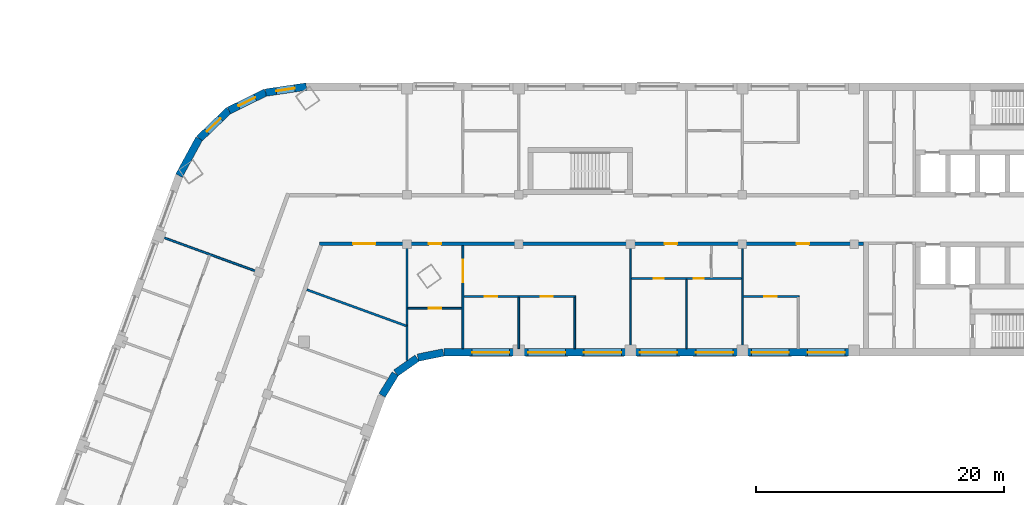
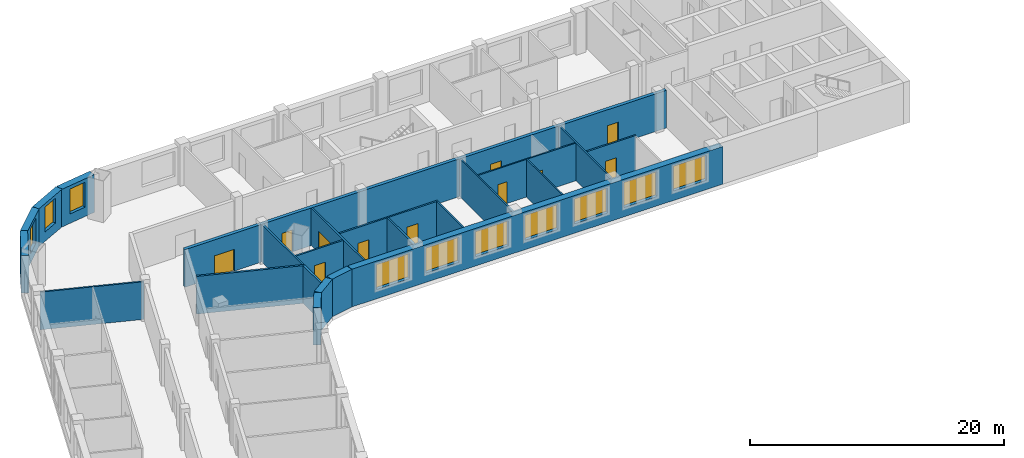
# One storey, part 4 of 12: 23 walls, 11 doors, 10 windows, 21 openings.
"""IFC4 building model written with IfcOpenShell, lengths in metres."""

from ifc_helpers import new_model, si_unit, direction, frame, frame_2d, origin, place, context, subcontext, project, spatial, rectangle, extrude, material, layer, layer_set, type_object, element, fill, save


model = new_model("IFC4")

# Units and contexts
model_context = context("Model", 3, precision=1e-05, world=origin(), true_north=direction((0.0, 1.0)))
body_context = subcontext(model_context, "Body", "Model", "MODEL_VIEW")
ifc_project = project(units=[si_unit("LENGTHUNIT", "METRE"), si_unit("AREAUNIT", "SQUARE_METRE"), si_unit("VOLUMEUNIT", "CUBIC_METRE"), si_unit("PLANEANGLEUNIT", "RADIAN"), si_unit("MASSUNIT", "GRAM", prefix="KILO")], contexts=[model_context])

# Site, building, storey
site_placement = place(None, origin())
site = spatial("IfcSite", under=ifc_project, at=site_placement, CompositionType="ELEMENT")
building_placement = place(site_placement, origin())
building = spatial("IfcBuilding", under=site, at=building_placement, Name="Skarvind Civic Tower", CompositionType="ELEMENT")
storey_placement = place(building_placement, frame((0.0, 0.0, 63.5)))
storey = spatial("IfcBuildingStorey", under=building, at=storey_placement, Name="L14", CompositionType="ELEMENT", Elevation=63.5)

# Walls
ifc_material_1 = material(Name="Acoustic gypsum board on steel studs", Category="steel")
ifc_layer_1 = layer(ifc_material_1, 0.175048828125)
ifc_layer_set_1 = layer_set([ifc_layer_1], Name="ACOUSTIC MEETING-ROOM PARTITION 175")
wall_type_1 = type_object("IfcWallType", Name="ACOUSTIC MEETING-ROOM PARTITION 175", PredefinedType="PARTITIONING", material=ifc_layer_set_1)
wall_1_placement = place(storey_placement, frame((54.25, 116.636962890625, 0.0), z_axis=(0.0, 0.0, 1.0), x_axis=(0.0, 1.0, 0.0)))
element("IfcWall", 1, at=wall_1_placement, inside=storey, type_object=wall_type_1, Name="Partition 14.018", PredefinedType="PARTITIONING", context=body_context, shape_type="SweptSolid", body=[
    extrude(rectangle(XDim=2.776123046875, YDim=0.175048828125, at=frame_2d((1.38818359375, 0.0))), origin(), (0.0, 0.0, 1.0), 3.625),
])
wall_2_placement = place(storey_placement, frame((54.320068359375, 119.384033203125, 0.0), z_axis=(0.0, 0.0, 1.0), x_axis=(-0.939632908118, 0.342184157994, 0.0)))
element("IfcWall", 2, at=wall_2_placement, inside=storey, type_object=wall_type_1, Name="Partition 14.019", PredefinedType="PARTITIONING", context=body_context, shape_type="SweptSolid", body=[
    extrude(rectangle(XDim=8.665283203125, YDim=0.175048828125, at=frame_2d((4.33251953125, 0.0))), origin(), (0.0, 0.0, 1.0), 3.625),
])

# Wall, openings, doors
ifc_material_2 = material(Name="Fire-rated gypsum board on steel studs", Category="steel")
ifc_layer_2 = layer(ifc_material_2, 0.300048828125)
ifc_layer_set_2 = layer_set([ifc_layer_2], Name="CORRIDOR WALL 300")
wall_type_2 = type_object("IfcWallType", Name="CORRIDOR WALL 300", PredefinedType="PARTITIONING", material=ifc_layer_set_2)
wall_3_placement = place(storey_placement, frame((91.0, 126.050048828125, 0.0), z_axis=(0.0, 0.0, 1.0), x_axis=(-1.0, 0.0, 0.0)))
wall_3 = element("IfcWall", 3, at=wall_3_placement, inside=storey, type_object=wall_type_2, Name="Partition 14.043", PredefinedType="PARTITIONING", context=body_context, shape_type="SweptSolid", body=[
    extrude(rectangle(XDim=43.784912109375, YDim=0.300048828125, at=frame_2d((21.892578125, 0.0))), origin(), (0.0, 0.0, 1.0), 3.625),
])
opening_1_placement = place(wall_3_placement, frame((4.375, 0.0, 0.0)))
opening_1 = element("IfcOpeningElement", 4, at=opening_1_placement, cuts=wall_3, Name="Opening L14-D010", PredefinedType="OPENING", context=body_context, shape_type="SweptSolid", body=[
    extrude(rectangle(XDim=1.0, YDim=2.10009765625, at=frame_2d((0.5, 1.050048828125))), frame((0.0, 0.159912109375, 0.0), z_axis=(0.0, -1.0, 0.0), x_axis=(1.0, 0.0, 0.0)), (0.0, 0.0, 1.0), 0.320068359375),
])
opening_2_placement = place(wall_3_placement, frame((15.0, 0.0, 0.0)))
opening_2 = element("IfcOpeningElement", 5, at=opening_2_placement, cuts=wall_3, Name="Opening L14-D011", PredefinedType="OPENING", context=body_context, shape_type="SweptSolid", body=[
    extrude(rectangle(XDim=1.0, YDim=2.10009765625, at=frame_2d((0.5, 1.050048828125))), frame((0.0, 0.159912109375, 0.0), z_axis=(0.0, -1.0, 0.0), x_axis=(1.0, 0.0, 0.0)), (0.0, 0.0, 1.0), 0.320068359375),
])
opening_3_placement = place(wall_3_placement, frame((34.0, 0.0, 0.0)))
opening_3 = element("IfcOpeningElement", 6, at=opening_3_placement, cuts=wall_3, Name="Opening L14-D015", PredefinedType="OPENING", context=body_context, shape_type="SweptSolid", body=[
    extrude(rectangle(XDim=1.0, YDim=2.10009765625, at=frame_2d((0.5, 1.050048828125))), frame((0.0, 0.159912109375, 0.0), z_axis=(0.0, -1.0, 0.0), x_axis=(1.0, 0.0, 0.0)), (0.0, 0.0, 1.0), 0.320068359375),
])
opening_4_placement = place(wall_3_placement, frame((39.2958984375, 0.0, 0.0)))
opening_4 = element("IfcOpeningElement", 7, at=opening_4_placement, cuts=wall_3, Name="Opening L14-D033", PredefinedType="OPENING", context=body_context, shape_type="SweptSolid", body=[
    extrude(rectangle(XDim=1.800048828125, YDim=2.10009765625, at=frame_2d((0.89990234375, 1.050048828125))), frame((0.0, 0.159912109375, 0.0), z_axis=(0.0, -1.0, 0.0), x_axis=(1.0, 0.0, 0.0)), (0.0, 0.0, 1.0), 0.320068359375),
])
ifc_material_3 = material(Name="Fire-rated timber door leaf", Category="wood")
door_type_1 = type_object("IfcDoorType", Name="FD1 1000x2100", OperationType="NOTDEFINED", PredefinedType="DOOR", material=ifc_material_3)
door_1_placement = place(opening_1_placement, origin())
door_1 = element("IfcDoor", 8, at=door_1_placement, inside=storey, type_object=door_type_1, Name="Door L14-D010", OperationType="SINGLE_SWING_LEFT", OverallHeight=2.10009765625, OverallWidth=1.0, PredefinedType="DOOR", context=body_context, shape_type="SweptSolid", body=[
    extrude(rectangle(XDim=1.0, YDim=2.10009765625, at=frame_2d((0.5, 1.050048828125))), frame((0.0, 0.02490234375, 0.0), z_axis=(0.0, -1.0, 0.0), x_axis=(1.0, 0.0, 0.0)), (0.0, 0.0, 1.0), 0.050048828125),
])
fill(opening_1, door_1)
door_2_placement = place(opening_2_placement, origin())
door_2 = element("IfcDoor", 9, at=door_2_placement, inside=storey, type_object=door_type_1, Name="Door L14-D011", OperationType="SINGLE_SWING_LEFT", OverallHeight=2.10009765625, OverallWidth=1.0, PredefinedType="DOOR", context=body_context, shape_type="SweptSolid", body=[
    extrude(rectangle(XDim=1.0, YDim=2.10009765625, at=frame_2d((0.5, 1.050048828125))), frame((0.0, 0.02490234375, 0.0), z_axis=(0.0, -1.0, 0.0), x_axis=(1.0, 0.0, 0.0)), (0.0, 0.0, 1.0), 0.050048828125),
])
fill(opening_2, door_2)
door_3_placement = place(opening_3_placement, origin())
door_3 = element("IfcDoor", 10, at=door_3_placement, inside=storey, type_object=door_type_1, Name="Door L14-D015", OperationType="SINGLE_SWING_LEFT", OverallHeight=2.10009765625, OverallWidth=1.0, PredefinedType="DOOR", context=body_context, shape_type="SweptSolid", body=[
    extrude(rectangle(XDim=1.0, YDim=2.10009765625, at=frame_2d((0.5, 1.050048828125))), frame((0.0, 0.02490234375, 0.0), z_axis=(0.0, -1.0, 0.0), x_axis=(1.0, 0.0, 0.0)), (0.0, 0.0, 1.0), 0.050048828125),
])
fill(opening_3, door_3)
door_type_2 = type_object("IfcDoorType", Name="FD4 1800x2100", OperationType="NOTDEFINED", PredefinedType="DOOR", material=ifc_material_3)
door_4_placement = place(opening_4_placement, origin())
door_4 = element("IfcDoor", 11, at=door_4_placement, inside=storey, type_object=door_type_2, Name="Door L14-D033", OperationType="DOUBLE_DOOR_SINGLE_SWING", OverallHeight=2.10009765625, OverallWidth=1.800048828125, PredefinedType="DOOR", context=body_context, shape_type="SweptSolid", body=[
    extrude(rectangle(XDim=1.800048828125, YDim=2.10009765625, at=frame_2d((0.89990234375, 1.050048828125))), frame((0.0, 0.02490234375, 0.0), z_axis=(0.0, -1.0, 0.0), x_axis=(1.0, 0.0, 0.0)), (0.0, 0.0, 1.0), 0.050048828125),
])
fill(opening_4, door_4)

# Walls
ifc_material_4 = material(Name="Plasterboard partition on steel studs", Category="steel")
ifc_layer_3 = layer(ifc_material_4, 0.14990234375)
ifc_layer_set_3 = layer_set([ifc_layer_3], Name="PARTITION 150")
wall_type_3 = type_object("IfcWallType", Name="PARTITION 150", PredefinedType="PARTITIONING", material=ifc_layer_set_3)
wall_4_placement = place(storey_placement, frame((34.430908203125, 126.6240234375, 0.0), z_axis=(0.0, 0.0, 1.0), x_axis=(0.939687752599, -0.342033518263, 0.0)))
element("IfcWall", 12, at=wall_4_placement, inside=storey, type_object=wall_type_3, Name="Partition 14.007", PredefinedType="PARTITIONING", context=body_context, shape_type="SweptSolid", body=[
    extrude(rectangle(XDim=8.30078125, YDim=0.14990234375, at=frame_2d((4.150390625, 0.0))), origin(), (0.0, 0.0, 1.0), 3.625),
])
wall_5_placement = place(storey_placement, frame((54.25, 119.498046875, 0.0), z_axis=(0.0, 0.0, 1.0), x_axis=(0.0, 1.0, 0.0)))
element("IfcWall", 13, at=wall_5_placement, inside=storey, type_object=wall_type_3, Name="Partition 14.020", PredefinedType="PARTITIONING", context=body_context, shape_type="SweptSolid", body=[
    extrude(rectangle(XDim=6.40185546875, YDim=0.14990234375, at=frame_2d((3.200927734375, 0.0))), origin(), (0.0, 0.0, 1.0), 3.625),
])

# Wall, opening, door
wall_6_placement = place(storey_placement, frame((54.324951171875, 120.85009765625, 0.0), z_axis=(0.0, 0.0, 1.0), x_axis=(1.0, 0.0, 0.0)))
wall_6 = element("IfcWall", 14, at=wall_6_placement, inside=storey, type_object=wall_type_3, Name="Partition 14.021", PredefinedType="PARTITIONING", context=body_context, shape_type="SweptSolid", body=[
    extrude(rectangle(XDim=4.35009765625, YDim=0.14990234375, at=frame_2d((2.175048828125, 0.0))), origin(), (0.0, 0.0, 1.0), 3.625),
])
opening_5_placement = place(wall_6_placement, frame((1.675048828125, 0.0, 0.0)))
opening_5 = element("IfcOpeningElement", 15, at=opening_5_placement, cuts=wall_6, Name="Opening L14-D018", PredefinedType="OPENING", context=body_context, shape_type="SweptSolid", body=[
    extrude(rectangle(XDim=1.0, YDim=2.10009765625, at=frame_2d((0.5, 1.050048828125))), frame((0.0, 0.0849609375, 0.0), z_axis=(0.0, -1.0, 0.0), x_axis=(1.0, 0.0, 0.0)), (0.0, 0.0, 1.0), 0.169921875),
])
ifc_material_5 = material(Name="Timber door leaf", Category="wood")
door_type_3 = type_object("IfcDoorType", Name="D1 1000x2100", OperationType="NOTDEFINED", PredefinedType="DOOR", material=ifc_material_5)
door_5_placement = place(opening_5_placement, origin())
door_5 = element("IfcDoor", 16, at=door_5_placement, inside=storey, type_object=door_type_3, Name="Door L14-D018", OperationType="SINGLE_SWING_LEFT", OverallHeight=2.10009765625, OverallWidth=1.0, PredefinedType="DOOR", context=body_context, shape_type="SweptSolid", body=[
    extrude(rectangle(XDim=1.0, YDim=2.10009765625, at=frame_2d((0.5, 1.050048828125))), frame((0.0, 0.02490234375, 0.0), z_axis=(0.0, -1.0, 0.0), x_axis=(1.0, 0.0, 0.0)), (0.0, 0.0, 1.0), 0.050048828125),
])
fill(opening_5, door_5)

wall_7_placement = place(storey_placement, frame((58.75, 117.60009765625, 0.0), z_axis=(0.0, 0.0, 1.0), x_axis=(0.0, 1.0, 0.0)))
wall_7 = element("IfcWall", 17, at=wall_7_placement, inside=storey, type_object=wall_type_3, Name="Partition 14.023", PredefinedType="PARTITIONING", context=body_context, shape_type="SweptSolid", body=[
    extrude(rectangle(XDim=8.2998046875, YDim=0.14990234375, at=frame_2d((4.14990234375, 0.0))), origin(), (0.0, 0.0, 1.0), 3.625),
])
opening_6_placement = place(wall_7_placement, frame((5.360107421875, 0.0, 0.0)))
opening_6 = element("IfcOpeningElement", 18, at=opening_6_placement, cuts=wall_7, Name="Opening L14-D019", PredefinedType="OPENING", context=body_context, shape_type="SweptSolid", body=[
    extrude(rectangle(XDim=1.800048828125, YDim=2.10009765625, at=frame_2d((0.89990234375, 1.050048828125))), frame((0.0, 0.0849609375, 0.0), z_axis=(0.0, -1.0, 0.0), x_axis=(1.0, 0.0, 0.0)), (0.0, 0.0, 1.0), 0.169921875),
])
door_type_4 = type_object("IfcDoorType", Name="D4 1800x2100", OperationType="NOTDEFINED", PredefinedType="DOOR", material=ifc_material_5)
door_6_placement = place(opening_6_placement, origin())
door_6 = element("IfcDoor", 19, at=door_6_placement, inside=storey, type_object=door_type_4, Name="Door L14-D019", OperationType="DOUBLE_DOOR_SINGLE_SWING", OverallHeight=2.10009765625, OverallWidth=1.800048828125, PredefinedType="DOOR", context=body_context, shape_type="SweptSolid", body=[
    extrude(rectangle(XDim=1.800048828125, YDim=2.10009765625, at=frame_2d((0.89990234375, 1.050048828125))), frame((0.0, 0.02490234375, 0.0), z_axis=(0.0, -1.0, 0.0), x_axis=(1.0, 0.0, 0.0)), (0.0, 0.0, 1.0), 0.050048828125),
])
fill(opening_6, door_6)

# Wall, openings, doors
wall_8_placement = place(storey_placement, frame((58.824951171875, 121.800048828125, 0.0), z_axis=(0.0, 0.0, 1.0), x_axis=(1.0, 0.0, 0.0)))
wall_8 = element("IfcWall", 20, at=wall_8_placement, inside=storey, type_object=wall_type_3, Name="Partition 14.024", PredefinedType="PARTITIONING", context=body_context, shape_type="SweptSolid", body=[
    extrude(rectangle(XDim=9.0, YDim=0.14990234375, at=frame_2d((4.5, 0.0))), origin(), (0.0, 0.0, 1.0), 3.625),
])
opening_7_placement = place(wall_8_placement, frame((1.702392578125, 0.0, 0.0)))
opening_7 = element("IfcOpeningElement", 21, at=opening_7_placement, cuts=wall_8, Name="Opening L14-D016", PredefinedType="OPENING", context=body_context, shape_type="SweptSolid", body=[
    extrude(rectangle(XDim=1.0, YDim=2.10009765625, at=frame_2d((0.5, 1.050048828125))), frame((0.0, 0.0849609375, 0.0), z_axis=(0.0, -1.0, 0.0), x_axis=(1.0, 0.0, 0.0)), (0.0, 0.0, 1.0), 0.169921875),
])
opening_8_placement = place(wall_8_placement, frame((6.175048828125, 0.0, 0.0)))
opening_8 = element("IfcOpeningElement", 22, at=opening_8_placement, cuts=wall_8, Name="Opening L14-D017", PredefinedType="OPENING", context=body_context, shape_type="SweptSolid", body=[
    extrude(rectangle(XDim=1.0, YDim=2.10009765625, at=frame_2d((0.5, 1.050048828125))), frame((0.0, 0.0849609375, 0.0), z_axis=(0.0, -1.0, 0.0), x_axis=(1.0, 0.0, 0.0)), (0.0, 0.0, 1.0), 0.169921875),
])
door_7_placement = place(opening_7_placement, origin())
door_7 = element("IfcDoor", 23, at=door_7_placement, inside=storey, type_object=door_type_3, Name="Door L14-D016", OperationType="SINGLE_SWING_LEFT", OverallHeight=2.10009765625, OverallWidth=1.0, PredefinedType="DOOR", context=body_context, shape_type="SweptSolid", body=[
    extrude(rectangle(XDim=1.0, YDim=2.10009765625, at=frame_2d((0.5, 1.050048828125))), frame((0.0, 0.02490234375, 0.0), z_axis=(0.0, -1.0, 0.0), x_axis=(1.0, 0.0, 0.0)), (0.0, 0.0, 1.0), 0.050048828125),
])
fill(opening_7, door_7)
door_8_placement = place(opening_8_placement, origin())
door_8 = element("IfcDoor", 24, at=door_8_placement, inside=storey, type_object=door_type_3, Name="Door L14-D017", OperationType="SINGLE_SWING_RIGHT", OverallHeight=2.10009765625, OverallWidth=1.0, PredefinedType="DOOR", context=body_context, shape_type="SweptSolid", body=[
    extrude(rectangle(XDim=1.0, YDim=2.10009765625, at=frame_2d((0.5, 1.050048828125))), frame((0.0, 0.02490234375, 0.0), z_axis=(0.0, -1.0, 0.0), x_axis=(1.0, 0.0, 0.0)), (0.0, 0.0, 1.0), 0.050048828125),
])
fill(opening_8, door_8)

# Walls
for number, where, z_axis, x_axis, name in (
    (25, (63.25, 121.72509765625, 0.0), (0.0, 0.0, 1.0), (0.0, -1.0, 0.0), "Partition 14.026"),
    (26, (67.75, 117.60009765625, 0.0), (0.0, 0.0, 1.0), (0.0, 1.0, 0.0), "Partition 14.029"),
):
    element("IfcWall", number, at=place(storey_placement, frame(where, z_axis=z_axis, x_axis=x_axis)), inside=storey, type_object=wall_type_3, Name=name, PredefinedType="PARTITIONING", context=body_context, shape_type="SweptSolid", body=[
        extrude(rectangle(XDim=4.125, YDim=0.14990234375, at=frame_2d((2.0625, 0.0))), origin(), (0.0, 0.0, 1.0), 3.625),
    ])

# Wall, opening, door
wall_9_placement = place(storey_placement, frame((81.31201171875, 121.800048828125, 0.0), z_axis=(0.0, 0.0, 1.0), x_axis=(1.0, 0.0, 0.0)))
wall_9 = element("IfcWall", 27, at=wall_9_placement, inside=storey, type_object=wall_type_3, Name="Partition 14.041", PredefinedType="PARTITIONING", context=body_context, shape_type="SweptSolid", body=[
    extrude(rectangle(XDim=4.512939453125, YDim=0.14990234375, at=frame_2d((2.25634765625, 0.0))), origin(), (0.0, 0.0, 1.0), 3.625),
])
opening_9_placement = place(wall_9_placement, frame((1.708984375, 0.0, 0.0)))
opening_9 = element("IfcOpeningElement", 28, at=opening_9_placement, cuts=wall_9, Name="Opening L14-D009", PredefinedType="OPENING", context=body_context, shape_type="SweptSolid", body=[
    extrude(rectangle(XDim=1.0, YDim=2.10009765625, at=frame_2d((0.5, 1.050048828125))), frame((0.0, 0.0849609375, 0.0), z_axis=(0.0, -1.0, 0.0), x_axis=(1.0, 0.0, 0.0)), (0.0, 0.0, 1.0), 0.169921875),
])
door_9_placement = place(opening_9_placement, origin())
door_9 = element("IfcDoor", 29, at=door_9_placement, inside=storey, type_object=door_type_3, Name="Door L14-D009", OperationType="SINGLE_SWING_LEFT", OverallHeight=2.10009765625, OverallWidth=1.0, PredefinedType="DOOR", context=body_context, shape_type="SweptSolid", body=[
    extrude(rectangle(XDim=1.0, YDim=2.10009765625, at=frame_2d((0.5, 1.050048828125))), frame((0.0, 0.02490234375, 0.0), z_axis=(0.0, -1.0, 0.0), x_axis=(1.0, 0.0, 0.0)), (0.0, 0.0, 1.0), 0.050048828125),
])
fill(opening_9, door_9)

# Wall
ifc_material_6 = material(Name="Moisture-resistant gypsum board on steel studs", Category="steel")
ifc_layer_4 = layer(ifc_material_6, 0.125)
ifc_layer_set_4 = layer_set([ifc_layer_4], Name="WC PARTITION 125")
wall_type_4 = type_object("IfcWallType", Name="WC PARTITION 125", PredefinedType="PARTITIONING", material=ifc_layer_set_4)
wall_10_placement = place(storey_placement, frame((72.25, 117.60009765625, 0.0), z_axis=(0.0, 0.0, 1.0), x_axis=(0.0, 1.0, 0.0)))
element("IfcWall", 30, at=wall_10_placement, inside=storey, type_object=wall_type_4, Name="Partition 14.030", PredefinedType="PARTITIONING", context=body_context, shape_type="SweptSolid", body=[
    extrude(rectangle(XDim=8.2998046875, YDim=0.125, at=frame_2d((4.14990234375, 0.0))), origin(), (0.0, 0.0, 1.0), 3.625),
])

# Wall, openings, doors
wall_11_placement = place(storey_placement, frame((81.18798828125, 123.25, 0.0), z_axis=(0.0, 0.0, 1.0), x_axis=(-1.0, 0.0, 0.0)))
wall_11 = element("IfcWall", 31, at=wall_11_placement, inside=storey, type_object=wall_type_4, Name="Partition 14.031", PredefinedType="PARTITIONING", context=body_context, shape_type="SweptSolid", body=[
    extrude(rectangle(XDim=8.8759765625, YDim=0.125, at=frame_2d((4.43798828125, 0.0))), origin(), (0.0, 0.0, 1.0), 3.625),
])
opening_10_placement = place(wall_11_placement, frame((6.26708984375, 0.0, 0.0)))
opening_10 = element("IfcOpeningElement", 32, at=opening_10_placement, cuts=wall_11, Name="Opening L14-D013", PredefinedType="OPENING", context=body_context, shape_type="SweptSolid", body=[
    extrude(rectangle(XDim=0.800048828125, YDim=2.10009765625, at=frame_2d((0.39990234375, 1.050048828125))), frame((0.0, 0.072509765625, 0.0), z_axis=(0.0, -1.0, 0.0), x_axis=(1.0, 0.0, 0.0)), (0.0, 0.0, 1.0), 0.14501953125),
])
opening_11_placement = place(wall_11_placement, frame((3.03662109375, 0.0, 0.0)))
opening_11 = element("IfcOpeningElement", 33, at=opening_11_placement, cuts=wall_11, Name="Opening L14-D014", PredefinedType="OPENING", context=body_context, shape_type="SweptSolid", body=[
    extrude(rectangle(XDim=0.800048828125, YDim=2.10009765625, at=frame_2d((0.39990234375, 1.050048828125))), frame((0.0, 0.072509765625, 0.0), z_axis=(0.0, -1.0, 0.0), x_axis=(1.0, 0.0, 0.0)), (0.0, 0.0, 1.0), 0.14501953125),
])
door_type_5 = type_object("IfcDoorType", Name="DOOR 800X2100 TIMBER", OperationType="NOTDEFINED", PredefinedType="DOOR", material=ifc_material_5)
door_10_placement = place(opening_10_placement, origin())
door_10 = element("IfcDoor", 34, at=door_10_placement, inside=storey, type_object=door_type_5, Name="Door L14-D013", OperationType="SINGLE_SWING_RIGHT", OverallHeight=2.10009765625, OverallWidth=0.800048828125, PredefinedType="DOOR", context=body_context, shape_type="SweptSolid", body=[
    extrude(rectangle(XDim=0.800048828125, YDim=2.10009765625, at=frame_2d((0.39990234375, 1.050048828125))), frame((0.0, 0.02490234375, 0.0), z_axis=(0.0, -1.0, 0.0), x_axis=(1.0, 0.0, 0.0)), (0.0, 0.0, 1.0), 0.050048828125),
])
fill(opening_10, door_10)
door_11_placement = place(opening_11_placement, origin())
door_11 = element("IfcDoor", 35, at=door_11_placement, inside=storey, type_object=door_type_5, Name="Door L14-D014", OperationType="SINGLE_SWING_LEFT", OverallHeight=2.10009765625, OverallWidth=0.800048828125, PredefinedType="DOOR", context=body_context, shape_type="SweptSolid", body=[
    extrude(rectangle(XDim=0.800048828125, YDim=2.10009765625, at=frame_2d((0.39990234375, 1.050048828125))), frame((0.0, 0.02490234375, 0.0), z_axis=(0.0, -1.0, 0.0), x_axis=(1.0, 0.0, 0.0)), (0.0, 0.0, 1.0), 0.050048828125),
])
fill(opening_11, door_11)

# Walls
wall_12_placement = place(storey_placement, frame((76.75, 117.60009765625, 0.0), z_axis=(0.0, 0.0, 1.0), x_axis=(0.0, 1.0, 0.0)))
element("IfcWall", 36, at=wall_12_placement, inside=storey, type_object=wall_type_4, Name="Partition 14.033", PredefinedType="PARTITIONING", context=body_context, shape_type="SweptSolid", body=[
    extrude(rectangle(XDim=5.587890625, YDim=0.125, at=frame_2d((2.7939453125, 0.0))), origin(), (0.0, 0.0, 1.0), 3.625),
])
wall_13_placement = place(storey_placement, frame((81.25, 117.60009765625, 0.0), z_axis=(0.0, 0.0, 1.0), x_axis=(0.0, 1.0, 0.0)))
element("IfcWall", 37, at=wall_13_placement, inside=storey, type_object=wall_type_4, Name="Partition 14.036", PredefinedType="PARTITIONING", context=body_context, shape_type="SweptSolid", body=[
    extrude(rectangle(XDim=8.2998046875, YDim=0.125, at=frame_2d((4.14990234375, 0.0))), origin(), (0.0, 0.0, 1.0), 3.625),
])
ifc_material_7 = material(Name="Limestone masonry cladding on insulated backing", Category="masonry")
ifc_layer_5 = layer(ifc_material_7, 0.60009765625)
ifc_layer_set_5 = layer_set([ifc_layer_5], Name="WX1 STONE FACADE WALL 600")
wall_type_5 = type_object("IfcWallType", Name="WX1 STONE FACADE WALL 600", PredefinedType="SOLIDWALL", material=ifc_layer_set_5)
wall_14_placement = place(storey_placement, frame((53.30517578125, 115.578369140625, 0.0), z_axis=(0.0, 0.0, 1.0), x_axis=(-0.522402266438, -0.852699168535, 0.0)))
element("IfcWall", 38, at=wall_14_placement, inside=storey, type_object=wall_type_5, Name="STONE FACADE WALL", PredefinedType="SOLIDWALL", context=body_context, shape_type="SweptSolid", body=[
    extrude(rectangle(XDim=2.042236328125, YDim=0.60009765625, at=frame_2d((1.02099609375, 0.0))), origin(), (0.0, 0.0, 1.0), 3.625),
])
for number, where, z_axis, x_axis, name in (
    (39, (55.061767578125, 116.8388671875, 0.0), (0.0, 0.0, 1.0), (-0.819122269495, -0.573618956815, 0.0), "STONE FACADE WALL"),
    (40, (57.17529296875, 117.2939453125, 0.0), (0.0, 0.0, 1.0), (-0.97996099083, -0.19918949885, 0.0), "STONE FACADE WALL"),
):
    element("IfcWall", number, at=place(storey_placement, frame(where, z_axis=z_axis, x_axis=x_axis)), inside=storey, type_object=wall_type_5, Name=name, PredefinedType="SOLIDWALL", context=body_context, shape_type="SweptSolid", body=[
        extrude(rectangle(XDim=2.09228515625, YDim=0.60009765625, at=frame_2d((1.046142578125, 0.0))), origin(), (0.0, 0.0, 1.0), 3.625),
    ])

# Wall, openings, windows
wall_15_placement = place(storey_placement, frame((90.97998046875, 117.300048828125, 0.0), z_axis=(0.0, 0.0, 1.0), x_axis=(-1.0, 0.0, 0.0)))
wall_15 = element("IfcWall", 41, at=wall_15_placement, inside=storey, type_object=wall_type_5, Name="STONE FACADE WALL", PredefinedType="SOLIDWALL", context=body_context, shape_type="SweptSolid", body=[
    extrude(rectangle(XDim=33.744873046875, YDim=0.60009765625, at=frame_2d((16.87255859375, 0.0))), origin(), (0.0, 0.0, 1.0), 3.625),
])
opening_12_placement = place(wall_15_placement, frame((1.47998046875, 0.0, 0.89990234375)))
opening_12 = element("IfcOpeningElement", 42, at=opening_12_placement, cuts=wall_15, Name="Opening WN1", PredefinedType="OPENING", context=body_context, shape_type="SweptSolid", body=[
    extrude(rectangle(XDim=3.0, YDim=2.39990234375, at=frame_2d((1.5, 1.199951171875))), frame((0.0, 0.31005859375, 0.0), z_axis=(0.0, -1.0, 0.0), x_axis=(1.0, 0.0, 0.0)), (0.0, 0.0, 1.0), 0.6201171875),
])
opening_13_placement = place(wall_15_placement, frame((5.97998046875, 0.0, 0.89990234375)))
opening_13 = element("IfcOpeningElement", 43, at=opening_13_placement, cuts=wall_15, Name="Opening WN1", PredefinedType="OPENING", context=body_context, shape_type="SweptSolid", body=[
    extrude(rectangle(XDim=3.0, YDim=2.39990234375, at=frame_2d((1.5, 1.199951171875))), frame((0.0, 0.31005859375, 0.0), z_axis=(0.0, -1.0, 0.0), x_axis=(1.0, 0.0, 0.0)), (0.0, 0.0, 1.0), 0.6201171875),
])
opening_14_placement = place(wall_15_placement, frame((10.47998046875, 0.0, 0.89990234375)))
opening_14 = element("IfcOpeningElement", 44, at=opening_14_placement, cuts=wall_15, Name="Opening WN1", PredefinedType="OPENING", context=body_context, shape_type="SweptSolid", body=[
    extrude(rectangle(XDim=3.0, YDim=2.39990234375, at=frame_2d((1.5, 1.199951171875))), frame((0.0, 0.31005859375, 0.0), z_axis=(0.0, -1.0, 0.0), x_axis=(1.0, 0.0, 0.0)), (0.0, 0.0, 1.0), 0.6201171875),
])
opening_15_placement = place(wall_15_placement, frame((14.97998046875, 0.0, 0.89990234375)))
opening_15 = element("IfcOpeningElement", 45, at=opening_15_placement, cuts=wall_15, Name="Opening WN1", PredefinedType="OPENING", context=body_context, shape_type="SweptSolid", body=[
    extrude(rectangle(XDim=3.0, YDim=2.39990234375, at=frame_2d((1.5, 1.199951171875))), frame((0.0, 0.31005859375, 0.0), z_axis=(0.0, -1.0, 0.0), x_axis=(1.0, 0.0, 0.0)), (0.0, 0.0, 1.0), 0.6201171875),
])
opening_16_placement = place(wall_15_placement, frame((19.47998046875, 0.0, 0.89990234375)))
opening_16 = element("IfcOpeningElement", 46, at=opening_16_placement, cuts=wall_15, Name="Opening WN1", PredefinedType="OPENING", context=body_context, shape_type="SweptSolid", body=[
    extrude(rectangle(XDim=3.0, YDim=2.39990234375, at=frame_2d((1.5, 1.199951171875))), frame((0.0, 0.31005859375, 0.0), z_axis=(0.0, -1.0, 0.0), x_axis=(1.0, 0.0, 0.0)), (0.0, 0.0, 1.0), 0.6201171875),
])
opening_17_placement = place(wall_15_placement, frame((23.97998046875, 0.0, 0.89990234375)))
opening_17 = element("IfcOpeningElement", 47, at=opening_17_placement, cuts=wall_15, Name="Opening WN1", PredefinedType="OPENING", context=body_context, shape_type="SweptSolid", body=[
    extrude(rectangle(XDim=3.0, YDim=2.39990234375, at=frame_2d((1.5, 1.199951171875))), frame((0.0, 0.31005859375, 0.0), z_axis=(0.0, -1.0, 0.0), x_axis=(1.0, 0.0, 0.0)), (0.0, 0.0, 1.0), 0.6201171875),
])
opening_18_placement = place(wall_15_placement, frame((28.47998046875, 0.0, 0.89990234375)))
opening_18 = element("IfcOpeningElement", 48, at=opening_18_placement, cuts=wall_15, Name="Opening WN1", PredefinedType="OPENING", context=body_context, shape_type="SweptSolid", body=[
    extrude(rectangle(XDim=3.0, YDim=2.39990234375, at=frame_2d((1.5, 1.199951171875))), frame((0.0, 0.31005859375, 0.0), z_axis=(0.0, -1.0, 0.0), x_axis=(1.0, 0.0, 0.0)), (0.0, 0.0, 1.0), 0.6201171875),
])
ifc_material_8 = material(Name="Timber frame, double glazing, timber-lined reveal", Category="wood")
window_type_1 = type_object("IfcWindowType", Name="WN1 PUNCHED STONE WINDOW 3000 x 2400", PartitioningType="SINGLE_PANEL", PredefinedType="WINDOW", material=ifc_material_8)
window_1_placement = place(opening_12_placement, origin())
window_1 = element("IfcWindow", 49, at=window_1_placement, inside=storey, type_object=window_type_1, Name="WN1 WINDOW", OverallHeight=2.39990234375, OverallWidth=3.0, PartitioningType="SINGLE_PANEL", PredefinedType="WINDOW", context=body_context, shape_type="SweptSolid", body=[
    extrude(rectangle(XDim=3.0, YDim=2.39990234375, at=frame_2d((1.5, 1.199951171875))), frame((0.0, 0.030029296875, 0.0), z_axis=(0.0, -1.0, 0.0), x_axis=(1.0, 0.0, 0.0)), (0.0, 0.0, 1.0), 0.06005859375),
])
fill(opening_12, window_1)
window_2_placement = place(opening_13_placement, origin())
window_2 = element("IfcWindow", 50, at=window_2_placement, inside=storey, type_object=window_type_1, Name="WN1 WINDOW", OverallHeight=2.39990234375, OverallWidth=3.0, PartitioningType="SINGLE_PANEL", PredefinedType="WINDOW", context=body_context, shape_type="SweptSolid", body=[
    extrude(rectangle(XDim=3.0, YDim=2.39990234375, at=frame_2d((1.5, 1.199951171875))), frame((0.0, 0.030029296875, 0.0), z_axis=(0.0, -1.0, 0.0), x_axis=(1.0, 0.0, 0.0)), (0.0, 0.0, 1.0), 0.06005859375),
])
fill(opening_13, window_2)
window_3_placement = place(opening_14_placement, origin())
window_3 = element("IfcWindow", 51, at=window_3_placement, inside=storey, type_object=window_type_1, Name="WN1 WINDOW", OverallHeight=2.39990234375, OverallWidth=3.0, PartitioningType="SINGLE_PANEL", PredefinedType="WINDOW", context=body_context, shape_type="SweptSolid", body=[
    extrude(rectangle(XDim=3.0, YDim=2.39990234375, at=frame_2d((1.5, 1.199951171875))), frame((0.0, 0.030029296875, 0.0), z_axis=(0.0, -1.0, 0.0), x_axis=(1.0, 0.0, 0.0)), (0.0, 0.0, 1.0), 0.06005859375),
])
fill(opening_14, window_3)
window_4_placement = place(opening_15_placement, origin())
window_4 = element("IfcWindow", 52, at=window_4_placement, inside=storey, type_object=window_type_1, Name="WN1 WINDOW", OverallHeight=2.39990234375, OverallWidth=3.0, PartitioningType="SINGLE_PANEL", PredefinedType="WINDOW", context=body_context, shape_type="SweptSolid", body=[
    extrude(rectangle(XDim=3.0, YDim=2.39990234375, at=frame_2d((1.5, 1.199951171875))), frame((0.0, 0.030029296875, 0.0), z_axis=(0.0, -1.0, 0.0), x_axis=(1.0, 0.0, 0.0)), (0.0, 0.0, 1.0), 0.06005859375),
])
fill(opening_15, window_4)
window_5_placement = place(opening_16_placement, origin())
window_5 = element("IfcWindow", 53, at=window_5_placement, inside=storey, type_object=window_type_1, Name="WN1 WINDOW", OverallHeight=2.39990234375, OverallWidth=3.0, PartitioningType="SINGLE_PANEL", PredefinedType="WINDOW", context=body_context, shape_type="SweptSolid", body=[
    extrude(rectangle(XDim=3.0, YDim=2.39990234375, at=frame_2d((1.5, 1.199951171875))), frame((0.0, 0.030029296875, 0.0), z_axis=(0.0, -1.0, 0.0), x_axis=(1.0, 0.0, 0.0)), (0.0, 0.0, 1.0), 0.06005859375),
])
fill(opening_16, window_5)
window_6_placement = place(opening_17_placement, origin())
window_6 = element("IfcWindow", 54, at=window_6_placement, inside=storey, type_object=window_type_1, Name="WN1 WINDOW", OverallHeight=2.39990234375, OverallWidth=3.0, PartitioningType="SINGLE_PANEL", PredefinedType="WINDOW", context=body_context, shape_type="SweptSolid", body=[
    extrude(rectangle(XDim=3.0, YDim=2.39990234375, at=frame_2d((1.5, 1.199951171875))), frame((0.0, 0.030029296875, 0.0), z_axis=(0.0, -1.0, 0.0), x_axis=(1.0, 0.0, 0.0)), (0.0, 0.0, 1.0), 0.06005859375),
])
fill(opening_17, window_6)
window_7_placement = place(opening_18_placement, origin())
window_7 = element("IfcWindow", 55, at=window_7_placement, inside=storey, type_object=window_type_1, Name="WN1 WINDOW", OverallHeight=2.39990234375, OverallWidth=3.0, PartitioningType="SINGLE_PANEL", PredefinedType="WINDOW", context=body_context, shape_type="SweptSolid", body=[
    extrude(rectangle(XDim=3.0, YDim=2.39990234375, at=frame_2d((1.5, 1.199951171875))), frame((0.0, 0.030029296875, 0.0), z_axis=(0.0, -1.0, 0.0), x_axis=(1.0, 0.0, 0.0)), (0.0, 0.0, 1.0), 0.06005859375),
])
fill(opening_18, window_7)

# Wall, opening, window
wall_16_placement = place(storey_placement, frame((42.872802734375, 138.21728515625, 0.0), z_axis=(0.0, 0.0, 1.0), x_axis=(0.989110792192, 0.14717282619, 0.0)))
wall_16 = element("IfcWall", 56, at=wall_16_placement, inside=storey, type_object=wall_type_5, Name="STONE FACADE WALL", PredefinedType="SOLIDWALL", context=body_context, shape_type="SweptSolid", body=[
    extrude(rectangle(XDim=3.302734375, YDim=0.60009765625, at=frame_2d((1.6513671875, 0.0))), origin(), (0.0, 0.0, 1.0), 3.625),
])
opening_19_placement = place(wall_16_placement, frame((0.8564453125, 0.0, 0.89990234375)))
opening_19 = element("IfcOpeningElement", 57, at=opening_19_placement, cuts=wall_16, Name="Opening WN8", PredefinedType="OPENING", context=body_context, shape_type="SweptSolid", body=[
    extrude(rectangle(XDim=1.5, YDim=2.39990234375, at=frame_2d((0.75, 1.199951171875))), frame((0.0, 0.31005859375, 0.0), z_axis=(0.0, -1.0, 0.0), x_axis=(1.0, 0.0, 0.0)), (0.0, 0.0, 1.0), 0.6201171875),
])
window_type_2 = type_object("IfcWindowType", Name="WN8 ARC BAY WINDOW 1500 x 2400", PartitioningType="SINGLE_PANEL", PredefinedType="WINDOW", material=ifc_material_8)
window_8_placement = place(opening_19_placement, origin())
window_8 = element("IfcWindow", 58, at=window_8_placement, inside=storey, type_object=window_type_2, Name="WN8 WINDOW", OverallHeight=2.39990234375, OverallWidth=1.5, PartitioningType="SINGLE_PANEL", PredefinedType="WINDOW", context=body_context, shape_type="SweptSolid", body=[
    extrude(rectangle(XDim=1.5, YDim=2.39990234375, at=frame_2d((0.75, 1.199951171875))), frame((0.0, 0.030029296875, 0.0), z_axis=(0.0, -1.0, 0.0), x_axis=(1.0, 0.0, 0.0)), (0.0, 0.0, 1.0), 0.06005859375),
])
fill(opening_19, window_8)

wall_17_placement = place(storey_placement, frame((39.9072265625, 136.77587890625, 0.0), z_axis=(0.0, 0.0, 1.0), x_axis=(0.89761231107, 0.440785819889, 0.0)))
wall_17 = element("IfcWall", 59, at=wall_17_placement, inside=storey, type_object=wall_type_5, Name="STONE FACADE WALL", PredefinedType="SOLIDWALL", context=body_context, shape_type="SweptSolid", body=[
    extrude(rectangle(XDim=3.302734375, YDim=0.60009765625, at=frame_2d((1.6513671875, 0.0))), origin(), (0.0, 0.0, 1.0), 3.625),
])
opening_20_placement = place(wall_17_placement, frame((0.8564453125, 0.0, 0.89990234375)))
opening_20 = element("IfcOpeningElement", 60, at=opening_20_placement, cuts=wall_17, Name="Opening WN8", PredefinedType="OPENING", context=body_context, shape_type="SweptSolid", body=[
    extrude(rectangle(XDim=1.5, YDim=2.39990234375, at=frame_2d((0.75, 1.199951171875))), frame((0.0, 0.31005859375, 0.0), z_axis=(0.0, -1.0, 0.0), x_axis=(1.0, 0.0, 0.0)), (0.0, 0.0, 1.0), 0.6201171875),
])
window_9_placement = place(opening_20_placement, origin())
window_9 = element("IfcWindow", 61, at=window_9_placement, inside=storey, type_object=window_type_2, Name="WN8 WINDOW", OverallHeight=2.39990234375, OverallWidth=1.5, PartitioningType="SINGLE_PANEL", PredefinedType="WINDOW", context=body_context, shape_type="SweptSolid", body=[
    extrude(rectangle(XDim=1.5, YDim=2.39990234375, at=frame_2d((0.75, 1.199951171875))), frame((0.0, 0.030029296875, 0.0), z_axis=(0.0, -1.0, 0.0), x_axis=(1.0, 0.0, 0.0)), (0.0, 0.0, 1.0), 0.06005859375),
])
fill(opening_20, window_9)

wall_18_placement = place(storey_placement, frame((37.520263671875, 134.501220703125, 0.0), z_axis=(0.0, 0.0, 1.0), x_axis=(0.72115684486, 0.692771827596, 0.0)))
wall_18 = element("IfcWall", 62, at=wall_18_placement, inside=storey, type_object=wall_type_5, Name="STONE FACADE WALL", PredefinedType="SOLIDWALL", context=body_context, shape_type="SweptSolid", body=[
    extrude(rectangle(XDim=3.302734375, YDim=0.60009765625, at=frame_2d((1.6513671875, 0.0))), origin(), (0.0, 0.0, 1.0), 3.625),
])
opening_21_placement = place(wall_18_placement, frame((0.8564453125, 0.0, 0.89990234375)))
opening_21 = element("IfcOpeningElement", 63, at=opening_21_placement, cuts=wall_18, Name="Opening WN8", PredefinedType="OPENING", context=body_context, shape_type="SweptSolid", body=[
    extrude(rectangle(XDim=1.5, YDim=2.39990234375, at=frame_2d((0.75, 1.199951171875))), frame((0.0, 0.31005859375, 0.0), z_axis=(0.0, -1.0, 0.0), x_axis=(1.0, 0.0, 0.0)), (0.0, 0.0, 1.0), 0.6201171875),
])
window_10_placement = place(opening_21_placement, origin())
window_10 = element("IfcWindow", 64, at=window_10_placement, inside=storey, type_object=window_type_2, Name="WN8 WINDOW", OverallHeight=2.39990234375, OverallWidth=1.5, PartitioningType="SINGLE_PANEL", PredefinedType="WINDOW", context=body_context, shape_type="SweptSolid", body=[
    extrude(rectangle(XDim=1.5, YDim=2.39990234375, at=frame_2d((0.75, 1.199951171875))), frame((0.0, 0.030029296875, 0.0), z_axis=(0.0, -1.0, 0.0), x_axis=(1.0, 0.0, 0.0)), (0.0, 0.0, 1.0), 0.06005859375),
])
fill(opening_21, window_10)

# Wall
wall_19_placement = place(storey_placement, frame((35.89453125, 131.529541015625, 0.0), z_axis=(0.0, 0.0, 1.0), x_axis=(0.476531180538, 0.879157570618, 0.0)))
element("IfcWall", 65, at=wall_19_placement, inside=storey, type_object=wall_type_5, Name="STONE FACADE WALL", PredefinedType="SOLIDWALL", context=body_context, shape_type="SweptSolid", body=[
    extrude(rectangle(XDim=3.392578125, YDim=0.60009765625, at=frame_2d((1.6962890625, 0.0))), origin(), (0.0, 0.0, 1.0), 3.625),
])

save(model, "model.ifc")
